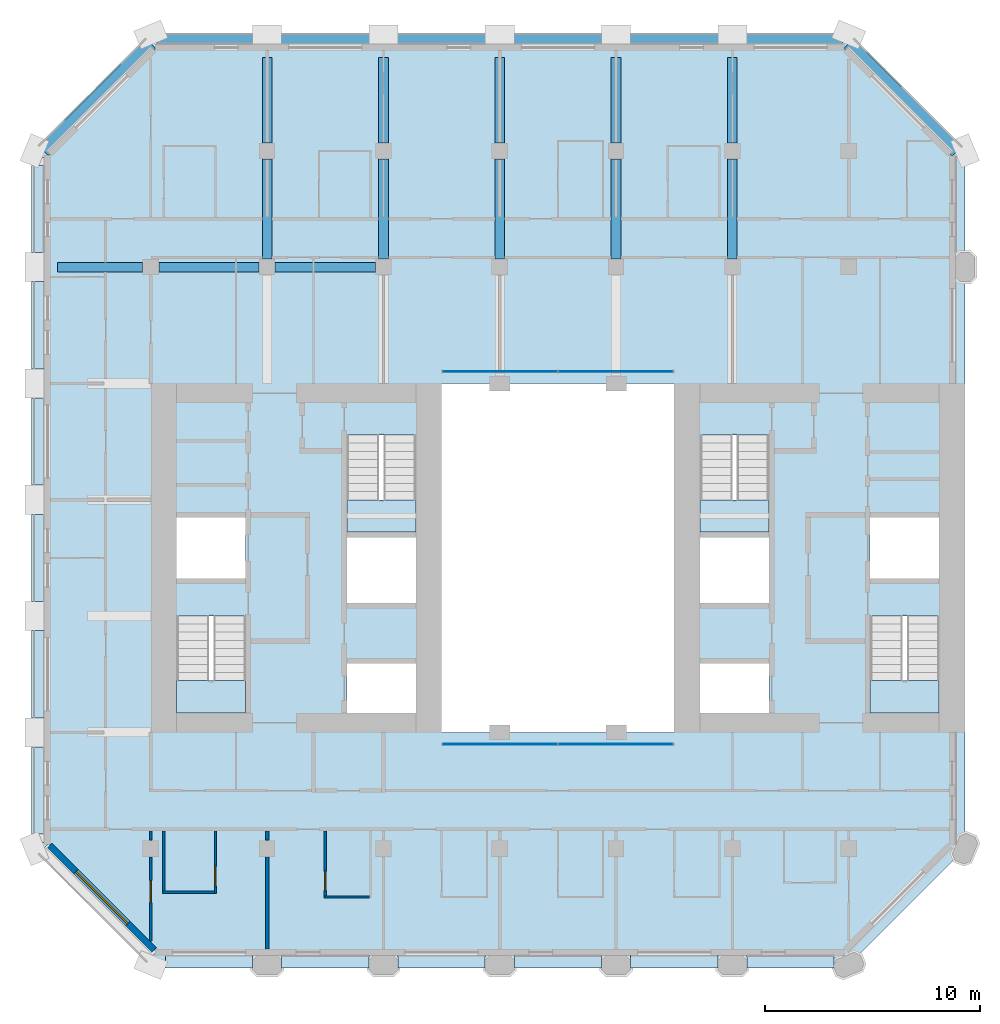
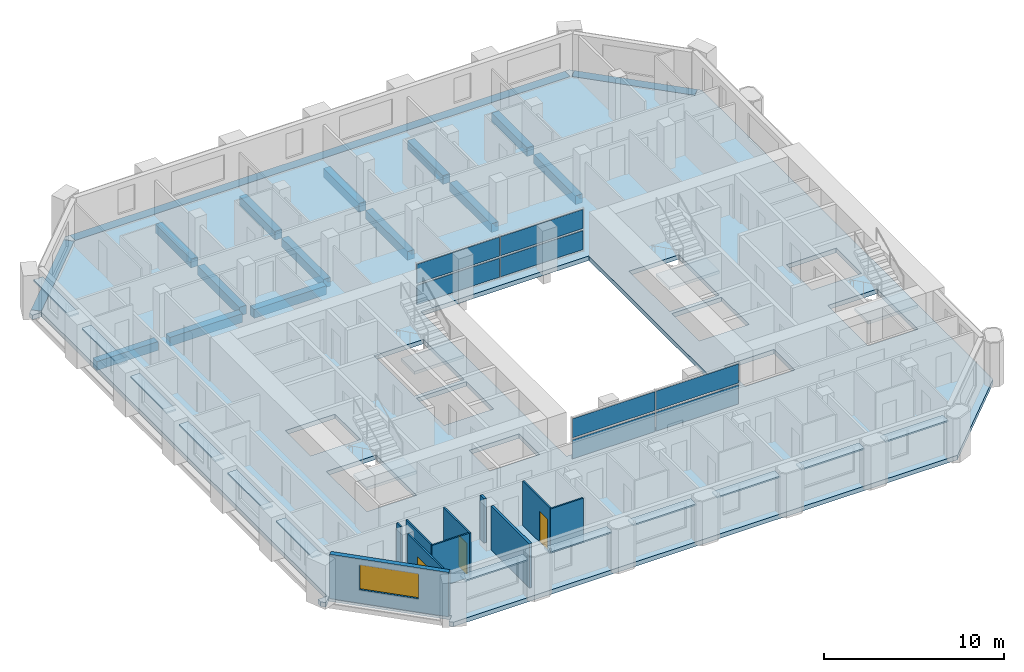
# One storey, part 5 of 14: 20 plates, 16 beams, 10 walls, 5 slabs, 3 doors, 1 window, 4 openings, 6 elements without a shape of their own.
"""IFC4 building model written with IfcOpenShell, lengths in metres."""

import ifcopenshell
import ifcopenshell.guid

model = None  # the IFC model being written
_history = None  # IfcOwnerHistory: only IFC2X3 demands one
_inside = {}  # id of a spatial element -> (the spatial element, [elements in it])
_under = {}  # id of a project, library or spatial element -> (it, [spatial elements below it])
_declared = {}  # id of a project -> (the project, [libraries it declares])
_typed = {}  # id of a type object -> (the type object, [elements of that type])
_made_of = {}  # id of a material, layer set ... -> (it, [elements and type objects made of it])


def new_model(schema):
    """Start an empty IFC model of exactly this schema.

    Asked for "IFC4X3", IfcOpenShell would pick the latest addendum, in which some entities
    have other attributes; the version numbers below select the first issue.
    IFC2X3 requires an IfcOwnerHistory on every rooted entity: one is made here for all.
    """
    global model, _history
    if schema == "IFC4X3":
        model = ifcopenshell.file(schema_version=(4, 3, 0, 0))
    else:
        model = ifcopenshell.file(schema=schema)
    _inside.clear()
    _under.clear()
    _declared.clear()
    _typed.clear()
    _made_of.clear()
    _history = None
    if model.schema == "IFC2X3":
        org = make("IfcOrganization", Name="unknown")
        user = make(
            "IfcPersonAndOrganization",
            ThePerson=make("IfcPerson", FamilyName="unknown"),
            TheOrganization=org,
        )
        app = make(
            "IfcApplication",
            ApplicationDeveloper=org,
            Version="unknown",
            ApplicationFullName="unknown",
            ApplicationIdentifier="unknown",
        )
        _history = make(
            "IfcOwnerHistory",
            OwningUser=user,
            OwningApplication=app,
            ChangeAction="ADDED",
            CreationDate=0,
        )
    return model


def make(cls, **values):
    """One entity of the class cls with the attributes given. An attribute that is None is left unset."""
    return model.create_entity(
        cls, **{name: value for name, value in values.items() if value is not None}
    )


def rooted(cls, **values):
    """An entity with a GlobalId (a new one), such as an element, a storey or a relation."""
    return make(cls, GlobalId=ifcopenshell.guid.new(), OwnerHistory=_history, **values)


def si_unit(unit_type, name, prefix=None):
    """IfcSIUnit, for example si_unit("LENGTHUNIT", "METRE", prefix="MILLI")."""
    return make("IfcSIUnit", UnitType=unit_type, Prefix=prefix, Name=name)


def assignment(units):
    """IfcUnitAssignment: the units of a project."""
    return None if units is None else make("IfcUnitAssignment", Units=units)


def point(xyz):
    """IfcCartesianPoint."""
    return None if xyz is None else make("IfcCartesianPoint", Coordinates=xyz)


def direction(xyz):
    """IfcDirection."""
    return None if xyz is None else make("IfcDirection", DirectionRatios=xyz)


def frame(location, z_axis=None, x_axis=None):
    """IfcAxis2Placement3D, a coordinate frame: its origin and axes. An axis left out is left unset."""
    return make(
        "IfcAxis2Placement3D",
        Location=point(location),
        Axis=direction(z_axis),
        RefDirection=direction(x_axis),
    )


def frame_2d(location, x_axis=None):
    """IfcAxis2Placement2D, a coordinate frame in the plane: its origin and x axis."""
    return make(
        "IfcAxis2Placement2D", Location=point(location), RefDirection=direction(x_axis)
    )


def origin():
    """The frame at (0, 0, 0) with its axes left unset."""
    return frame((0.0, 0.0, 0.0))


def origin_2d():
    """The frame at (0, 0) in the plane with its x axis left unset."""
    return frame_2d((0.0, 0.0))


def place(relative_to, where):
    """IfcLocalPlacement: puts the frame where relative to a parent placement (None: the world)."""
    return make(
        "IfcLocalPlacement", PlacementRelTo=relative_to, RelativePlacement=where
    )


def context(
    kind, dimensions, precision=None, world=None, true_north=None, identifier=None
):
    """IfcGeometricRepresentationContext, for example the 3D "Model" context."""
    return make(
        "IfcGeometricRepresentationContext",
        ContextIdentifier=identifier,
        ContextType=kind,
        CoordinateSpaceDimension=dimensions,
        Precision=precision,
        WorldCoordinateSystem=world,
        TrueNorth=true_north,
    )


def subcontext(parent, identifier, kind, view, scale=None):
    """IfcGeometricRepresentationSubContext, for example "Body" below "Model"."""
    return make(
        "IfcGeometricRepresentationSubContext",
        ContextIdentifier=identifier,
        ContextType=kind,
        ParentContext=parent,
        TargetScale=scale,
        TargetView=view,
    )


def project(units=None, contexts=None):
    """IfcProject with its units and contexts."""
    return rooted(
        "IfcProject",
        Name="project",
        RepresentationContexts=contexts,
        UnitsInContext=assignment(units),
    )


def spatial(cls, under=None, at=None, **own):
    """A site, building, storey or space (cls), placed at a placement, below another one or the project."""
    s = rooted(cls, ObjectPlacement=at, **own)
    if under is not None:
        _under.setdefault(under.id(), (under, []))[1].append(s)
    return s


def polyline(points):
    """IfcPolyline through the points."""
    return make("IfcPolyline", Points=[point(p) for p in points])


def profile(cls, at=None, kind="AREA", **sizes):
    """A parametric profile (cls). Its sizes go by their IFC names, for example OverallWidth=200.0."""
    return make(cls, ProfileType=kind, Position=at, **sizes)


def rectangle(**sizes):
    """IfcRectangleProfileDef."""
    return profile("IfcRectangleProfileDef", **sizes)


def outline(outer, holes=None, kind="AREA"):
    """IfcArbitraryClosedProfileDef: a profile drawn as a closed curve; with holes, ...WithVoids."""
    if holes is None:
        return make("IfcArbitraryClosedProfileDef", ProfileType=kind, OuterCurve=outer)
    return make(
        "IfcArbitraryProfileDefWithVoids",
        ProfileType=kind,
        OuterCurve=outer,
        InnerCurves=holes,
    )


def extrude(swept, where, along, depth):
    """IfcExtrudedAreaSolid: the profile swept, set in the frame where, extruded along a direction by depth."""
    return make(
        "IfcExtrudedAreaSolid",
        SweptArea=swept,
        Position=where,
        ExtrudedDirection=direction(along),
        Depth=depth,
    )


def shape(context_of_items, identifier, shape_type, items):
    """IfcShapeRepresentation: the items that make up one representation, for example the "Body"."""
    return make(
        "IfcShapeRepresentation",
        ContextOfItems=context_of_items,
        RepresentationIdentifier=identifier,
        RepresentationType=shape_type,
        Items=items,
    )


def material(Name=None, Category=None):
    """IfcMaterial."""
    return make("IfcMaterial", Name=Name, Category=Category)


def layer(
    of_material, thickness, ventilated=None, Name=None, Category=None, Priority=None
):
    """IfcMaterialLayer: one layer of a wall or slab, of a material (None: an air gap)."""
    return make(
        "IfcMaterialLayer",
        Material=of_material,
        LayerThickness=thickness,
        IsVentilated=ventilated,
        Name=Name,
        Category=Category,
        Priority=Priority,
    )


def layer_set(layers, Name=None):
    """IfcMaterialLayerSet."""
    return make("IfcMaterialLayerSet", MaterialLayers=layers, LayerSetName=Name)


def material_profile(
    of_material, cross_section, Name=None, Category=None, Priority=None
):
    """IfcMaterialProfile: a cross section and its material."""
    return make(
        "IfcMaterialProfile",
        Name=Name,
        Material=of_material,
        Profile=cross_section,
        Priority=Priority,
        Category=Category,
    )


def profile_set(profiles, Name=None, composite=None):
    """IfcMaterialProfileSet."""
    return make(
        "IfcMaterialProfileSet",
        Name=Name,
        MaterialProfiles=profiles,
        CompositeProfile=composite,
    )


def made_of(thing, what):
    """Note that an element or type object is made of a material, layer set ...; save() writes the relation."""
    if what is not None:
        _made_of.setdefault(what.id(), (what, []))[1].append(thing)
    return thing


def type_object(cls, material=None, **own):
    """A type object (cls), such as IfcWallType, which elements share."""
    return made_of(rooted(cls, **own), material)


def element(
    cls,
    number,
    at=None,
    inside=None,
    cuts=None,
    type_object=None,
    material=None,
    context=None,
    identifier="Body",
    shape_type=None,
    held_by="IfcProductDefinitionShape",
    body=None,
    shapes=None,
    **own,
):
    """One element of the class cls, such as IfcWall. Its Tag is "e" and its number.

    at: its placement. inside: the storey or other place that contains it. cuts: it is an
    opening in that element (IfcRelVoidsElement). A single representation is given by context,
    identifier, shape_type and body (its items); several are given by shapes. held_by: the class
    of the entity that holds the representations. save() writes the other relations.
    """
    e = rooted(cls, Tag="e%d" % number, ObjectPlacement=at, **own)
    if body is not None:
        shapes = [shape(context, identifier, shape_type, body)]
    if shapes is not None:
        e.Representation = make(held_by, Representations=shapes)
    if inside is not None:
        _inside.setdefault(inside.id(), (inside, []))[1].append(e)
    if cuts is not None:
        rooted(
            "IfcRelVoidsElement", RelatingBuildingElement=cuts, RelatedOpeningElement=e
        )
    if type_object is not None:
        _typed.setdefault(type_object.id(), (type_object, []))[1].append(e)
    return made_of(e, material)


def fill(opening, filler):
    """IfcRelFillsElement: the door or window that sits in an opening."""
    return rooted(
        "IfcRelFillsElement",
        RelatingOpeningElement=opening,
        RelatedBuildingElement=filler,
    )


def aggregate(whole, parts):
    """IfcRelAggregates: a whole, such as a stair, and the parts it consists of."""
    return rooted("IfcRelAggregates", RelatingObject=whole, RelatedObjects=parts)


def save(model, path):
    """Write the relations noted so far, then the file.

    IfcRelAggregates (storeys below a building ...), IfcRelContainedInSpatialStructure (elements
    in a storey), IfcRelDefinesByType, IfcRelAssociatesMaterial and IfcRelDeclares: one each for
    every whole, place, type object, material and project.
    """
    for whole, parts in _under.values():
        aggregate(whole, parts)
    for where, things in _inside.values():
        rooted(
            "IfcRelContainedInSpatialStructure",
            RelatedElements=things,
            RelatingStructure=where,
        )
    for kind, things in _typed.values():
        rooted("IfcRelDefinesByType", RelatedObjects=things, RelatingType=kind)
    for what, things in _made_of.values():
        rooted("IfcRelAssociatesMaterial", RelatedObjects=things, RelatingMaterial=what)
    for by, libraries in _declared.values():
        rooted("IfcRelDeclares", RelatingContext=by, RelatedDefinitions=libraries)
    model.write(path)


model = new_model("IFC4")

# Units and contexts
model_context = context("Model", 3, precision=1e-05, world=origin(), true_north=direction((0.0, 1.0)))
body_context = subcontext(model_context, "Body", "Model", "MODEL_VIEW")
ifc_project = project(units=[si_unit("LENGTHUNIT", "METRE"), si_unit("AREAUNIT", "SQUARE_METRE"), si_unit("VOLUMEUNIT", "CUBIC_METRE"), si_unit("PLANEANGLEUNIT", "RADIAN"), si_unit("MASSUNIT", "GRAM", prefix="KILO")], contexts=[model_context])

# Site, building, storey
site_placement = place(None, origin())
site = spatial("IfcSite", under=ifc_project, at=site_placement, CompositionType="ELEMENT")
building_placement = place(site_placement, origin())
building = spatial("IfcBuilding", under=site, at=building_placement, Name="Tabaq Tower and Sports Hall", CompositionType="ELEMENT")
storey_placement = place(building_placement, frame((0.0, 0.0, 213.699951171875)))
storey = spatial("IfcBuildingStorey", under=building, at=storey_placement, Name="L53", CompositionType="ELEMENT", Elevation=213.699951171875)

# Beams
ifc_material_1 = material(Name="Concrete C40/50", Category="concrete")
ifc_material_profile_1 = material_profile(ifc_material_1, rectangle(XDim=0.449951171875, YDim=0.60009765625, at=origin_2d()), Name="CB 450x600")
ifc_profile_set_1 = profile_set([ifc_material_profile_1], Name="Concrete C40/50")
beam_type_1 = type_object("IfcBeamType", Name="PT CANTILEVER BEAM CB 450x600 C40/50", PredefinedType="BEAM", material=ifc_profile_set_1)
beam_1_placement = place(storey_placement, frame((1.074951171875, 37.800048828125, -0.599853515625), z_axis=(1.0, 0.0, 0.0), x_axis=(0.0, 1.0, 0.0)))
element("IfcBeam", 1, at=beam_1_placement, inside=storey, type_object=beam_type_1, Name="Cantilever Beam L53 W7 span 1", PredefinedType="BEAM", context=body_context, shape_type="SweptSolid", body=[
    extrude(rectangle(XDim=0.449951171875, YDim=0.60009765625, at=origin_2d()), origin(), (0.0, 0.0, 1.0), 3.949951171875),
])
beam_2_placement = place(storey_placement, frame((5.77490234375, 37.800048828125, -0.599853515625), z_axis=(1.0, 0.0, 0.0), x_axis=(0.0, 1.0, 0.0)))
element("IfcBeam", 2, at=beam_2_placement, inside=storey, type_object=beam_type_1, Name="Cantilever Beam L53 W7 span 2", PredefinedType="BEAM", context=body_context, shape_type="SweptSolid", body=[
    extrude(rectangle(XDim=0.449951171875, YDim=0.60009765625, at=origin_2d()), origin(), (0.0, 0.0, 1.0), 4.650146484375),
])
beam_3_placement = place(storey_placement, frame((11.175048828125, 37.800048828125, -0.599853515625), z_axis=(1.0, 0.0, 0.0), x_axis=(0.0, 1.0, 0.0)))
element("IfcBeam", 3, at=beam_3_placement, inside=storey, type_object=beam_type_1, Name="Cantilever Beam L53 W7 span 3", PredefinedType="BEAM", context=body_context, shape_type="SweptSolid", body=[
    extrude(rectangle(XDim=0.449951171875, YDim=0.60009765625, at=origin_2d()), origin(), (0.0, 0.0, 1.0), 4.64990234375),
])
beam_4_placement = place(storey_placement, frame((10.800048828125, 47.52490234375, -0.599853515625), z_axis=(0.0, -1.0, 0.0), x_axis=(1.0, 0.0, 0.0)))
element("IfcBeam", 4, at=beam_4_placement, inside=storey, type_object=beam_type_1, Name="Cantilever Beam L53 N2 span 1", PredefinedType="BEAM", context=body_context, shape_type="SweptSolid", body=[
    extrude(rectangle(XDim=0.449951171875, YDim=0.60009765625, at=origin_2d()), origin(), (0.0, 0.0, 1.0), 3.949951171875),
])
beam_5_placement = place(storey_placement, frame((10.800048828125, 42.824951171875, -0.599853515625), z_axis=(0.0, -1.0, 0.0), x_axis=(1.0, 0.0, 0.0)))
element("IfcBeam", 5, at=beam_5_placement, inside=storey, type_object=beam_type_1, Name="Cantilever Beam L53 N2 span 2", PredefinedType="BEAM", context=body_context, shape_type="SweptSolid", body=[
    extrude(rectangle(XDim=0.449951171875, YDim=0.60009765625, at=origin_2d()), origin(), (0.0, 0.0, 1.0), 4.64990234375),
])
beam_6_placement = place(storey_placement, frame((16.199951171875, 47.52490234375, -0.599853515625), z_axis=(0.0, -1.0, 0.0), x_axis=(1.0, 0.0, 0.0)))
element("IfcBeam", 6, at=beam_6_placement, inside=storey, type_object=beam_type_1, Name="Cantilever Beam L53 N3 span 1", PredefinedType="BEAM", context=body_context, shape_type="SweptSolid", body=[
    extrude(rectangle(XDim=0.449951171875, YDim=0.60009765625, at=origin_2d()), origin(), (0.0, 0.0, 1.0), 3.949951171875),
])
beam_7_placement = place(storey_placement, frame((16.199951171875, 42.824951171875, -0.599853515625), z_axis=(0.0, -1.0, 0.0), x_axis=(1.0, 0.0, 0.0)))
element("IfcBeam", 7, at=beam_7_placement, inside=storey, type_object=beam_type_1, Name="Cantilever Beam L53 N3 span 2", PredefinedType="BEAM", context=body_context, shape_type="SweptSolid", body=[
    extrude(rectangle(XDim=0.449951171875, YDim=0.60009765625, at=origin_2d()), origin(), (0.0, 0.0, 1.0), 4.64990234375),
])
beam_8_placement = place(storey_placement, frame((21.60009765625, 47.52490234375, -0.599853515625), z_axis=(0.0, -1.0, 0.0), x_axis=(1.0, 0.0, 0.0)))
element("IfcBeam", 8, at=beam_8_placement, inside=storey, type_object=beam_type_1, Name="Cantilever Beam L53 N4 span 1", PredefinedType="BEAM", context=body_context, shape_type="SweptSolid", body=[
    extrude(rectangle(XDim=0.449951171875, YDim=0.60009765625, at=origin_2d()), origin(), (0.0, 0.0, 1.0), 3.949951171875),
])
beam_9_placement = place(storey_placement, frame((21.60009765625, 42.824951171875, -0.599853515625), z_axis=(0.0, -1.0, 0.0), x_axis=(1.0, 0.0, 0.0)))
element("IfcBeam", 9, at=beam_9_placement, inside=storey, type_object=beam_type_1, Name="Cantilever Beam L53 N4 span 2", PredefinedType="BEAM", context=body_context, shape_type="SweptSolid", body=[
    extrude(rectangle(XDim=0.449951171875, YDim=0.60009765625, at=origin_2d()), origin(), (0.0, 0.0, 1.0), 4.64990234375),
])
beam_10_placement = place(storey_placement, frame((27.0, 47.52490234375, -0.599853515625), z_axis=(0.0, -1.0, 0.0), x_axis=(1.0, 0.0, 0.0)))
element("IfcBeam", 10, at=beam_10_placement, inside=storey, type_object=beam_type_1, Name="Cantilever Beam L53 N5 span 1", PredefinedType="BEAM", context=body_context, shape_type="SweptSolid", body=[
    extrude(rectangle(XDim=0.449951171875, YDim=0.60009765625, at=origin_2d()), origin(), (0.0, 0.0, 1.0), 3.949951171875),
])
beam_11_placement = place(storey_placement, frame((27.0, 42.824951171875, -0.599853515625), z_axis=(0.0, -1.0, 0.0), x_axis=(1.0, 0.0, 0.0)))
element("IfcBeam", 11, at=beam_11_placement, inside=storey, type_object=beam_type_1, Name="Cantilever Beam L53 N5 span 2", PredefinedType="BEAM", context=body_context, shape_type="SweptSolid", body=[
    extrude(rectangle(XDim=0.449951171875, YDim=0.60009765625, at=origin_2d()), origin(), (0.0, 0.0, 1.0), 4.64990234375),
])
beam_12_placement = place(storey_placement, frame((32.39990234375, 47.52490234375, -0.599853515625), z_axis=(0.0, -1.0, 0.0), x_axis=(1.0, 0.0, 0.0)))
element("IfcBeam", 12, at=beam_12_placement, inside=storey, type_object=beam_type_1, Name="Cantilever Beam L53 N6 span 1", PredefinedType="BEAM", context=body_context, shape_type="SweptSolid", body=[
    extrude(rectangle(XDim=0.449951171875, YDim=0.60009765625, at=origin_2d()), origin(), (0.0, 0.0, 1.0), 3.949951171875),
])
beam_13_placement = place(storey_placement, frame((32.39990234375, 42.824951171875, -0.599853515625), z_axis=(0.0, -1.0, 0.0), x_axis=(1.0, 0.0, 0.0)))
element("IfcBeam", 13, at=beam_13_placement, inside=storey, type_object=beam_type_1, Name="Cantilever Beam L53 N6 span 2", PredefinedType="BEAM", context=body_context, shape_type="SweptSolid", body=[
    extrude(rectangle(XDim=0.449951171875, YDim=0.60009765625, at=origin_2d()), origin(), (0.0, 0.0, 1.0), 4.64990234375),
])
ifc_material_2 = material(Name="Concrete C40/50", Category="concrete")
ifc_material_profile_2 = material_profile(ifc_material_2, rectangle(XDim=0.60009765625, YDim=0.300048828125, at=origin_2d()), Name="EB 600x300")
ifc_profile_set_2 = profile_set([ifc_material_profile_2], Name="Concrete C40/50")
beam_type_2 = type_object("IfcBeamType", Name="PT EDGE BEAM EB 600x300 C40/50", PredefinedType="SPANDREL", material=ifc_profile_set_2)
beam_14_placement = place(storey_placement, frame((42.81103515625, 43.16455078125, -0.14990234375), z_axis=(-0.707089559252, 0.707124002701, 0.0), x_axis=(-0.707124002701, -0.707089559252, 0.0)))
element("IfcBeam", 14, at=beam_14_placement, inside=storey, type_object=beam_type_2, Name="Edge Beam L53 1", PredefinedType="SPANDREL", context=body_context, shape_type="SweptSolid", body=[
    extrude(rectangle(XDim=0.60009765625, YDim=0.300048828125, at=origin_2d()), origin(), (0.0, 0.0, 1.0), 7.088134765625),
])
beam_15_placement = place(storey_placement, frame((37.50146484375, 48.300048828125, -0.14990234375), z_axis=(-1.0, 0.0, 0.0), x_axis=(0.0, -1.0, 0.0)))
element("IfcBeam", 15, at=beam_15_placement, inside=storey, type_object=beam_type_2, Name="Edge Beam L53 2", PredefinedType="SPANDREL", context=body_context, shape_type="SweptSolid", body=[
    extrude(rectangle(XDim=0.60009765625, YDim=0.300048828125, at=origin_2d()), origin(), (0.0, 0.0, 1.0), 31.802978515625),
])
beam_16_placement = place(storey_placement, frame((5.401123046875, 48.1767578125, -0.14990234375), z_axis=(-0.707106781187, -0.707106781187, 0.0), x_axis=(0.707106781187, -0.707106781187, 0.0)))
element("IfcBeam", 16, at=beam_16_placement, inside=storey, type_object=beam_type_2, Name="Edge Beam L53 3", PredefinedType="SPANDREL", context=body_context, shape_type="SweptSolid", body=[
    extrude(rectangle(XDim=0.60009765625, YDim=0.300048828125, at=origin_2d()), origin(), (0.0, 0.0, 1.0), 7.03955078125),
])

# Curtain wall, plates
ifc_material_3 = material(Name="Aluminium alloy 6063-T6 framed glazing", Category="aluminium")
curtain_wall_type = type_object("IfcCurtainWallType", Name="CW1 curtain wall", PredefinedType="USERDEFINED", material=ifc_material_3)
curtain_wall_1_placement = place(storey_placement, origin())
curtain_wall_1 = element("IfcCurtainWall", 17, at=curtain_wall_1_placement, inside=storey, type_object=curtain_wall_type, Name="Atrium glazing L53 S", ObjectType="ATRIUM ENCLOSURE", PredefinedType="USERDEFINED")
ifc_material_4 = material(Name="Clear low-emissivity glass 28 mm", Category="glass")
ifc_layer_1 = layer(ifc_material_4, 0.028076171875)
ifc_layer_set_1 = layer_set([ifc_layer_1], Name="CW1 glass panel 28")
plate_type_1 = type_object("IfcPlateType", Name="CW1 glass panel 28", PredefinedType="CURTAIN_PANEL", material=ifc_layer_set_1)
plate_1_placement = place(storey_placement, frame((21.614990234375, 15.64990234375, 0.14013671875), z_axis=(0.0, 0.0, 1.0), x_axis=(1.0, 0.0, 0.0)))
plate_1 = element("IfcPlate", 18, at=plate_1_placement, type_object=plate_type_1, Name="CW1 panel 1.1", PredefinedType="CURTAIN_PANEL", context=body_context, shape_type="SweptSolid", body=[
    extrude(rectangle(XDim=5.31005859375, YDim=0.028076171875, at=origin_2d()), origin(), (0.0, 0.0, 1.0), 1.2900390625),
])
plate_2_placement = place(storey_placement, frame((21.614990234375, 15.64990234375, 1.570068359375), z_axis=(0.0, 0.0, 1.0), x_axis=(1.0, 0.0, 0.0)))
plate_2 = element("IfcPlate", 19, at=plate_2_placement, type_object=plate_type_1, Name="CW1 panel 1.2", PredefinedType="CURTAIN_PANEL", context=body_context, shape_type="SweptSolid", body=[
    extrude(rectangle(XDim=5.31005859375, YDim=0.028076171875, at=origin_2d()), origin(), (0.0, 0.0, 1.0), 1.2900390625),
])
plate_3_placement = place(storey_placement, frame((26.985107421875, 15.64990234375, 0.14013671875), z_axis=(0.0, 0.0, 1.0), x_axis=(1.0, 0.0, 0.0)))
plate_3 = element("IfcPlate", 20, at=plate_3_placement, type_object=plate_type_1, Name="CW1 panel 2.1", PredefinedType="CURTAIN_PANEL", context=body_context, shape_type="SweptSolid", body=[
    extrude(rectangle(XDim=5.31005859375, YDim=0.028076171875, at=origin_2d()), origin(), (0.0, 0.0, 1.0), 1.2900390625),
])
plate_4_placement = place(storey_placement, frame((26.985107421875, 15.64990234375, 1.570068359375), z_axis=(0.0, 0.0, 1.0), x_axis=(1.0, 0.0, 0.0)))
plate_4 = element("IfcPlate", 21, at=plate_4_placement, type_object=plate_type_1, Name="CW1 panel 2.2", PredefinedType="CURTAIN_PANEL", context=body_context, shape_type="SweptSolid", body=[
    extrude(rectangle(XDim=5.31005859375, YDim=0.028076171875, at=origin_2d()), origin(), (0.0, 0.0, 1.0), 1.2900390625),
])
aggregate(curtain_wall_1, [plate_1, plate_2, plate_3, plate_4])

curtain_wall_2_placement = place(storey_placement, origin())
curtain_wall_2 = element("IfcCurtainWall", 22, at=curtain_wall_2_placement, inside=storey, type_object=curtain_wall_type, Name="Atrium glazing L53 N", ObjectType="ATRIUM ENCLOSURE", PredefinedType="USERDEFINED")
plate_5_placement = place(storey_placement, frame((21.614990234375, 32.949951171875, 0.14013671875), z_axis=(0.0, 0.0, 1.0), x_axis=(1.0, 0.0, 0.0)))
plate_5 = element("IfcPlate", 23, at=plate_5_placement, type_object=plate_type_1, Name="CW1 panel 1.1", PredefinedType="CURTAIN_PANEL", context=body_context, shape_type="SweptSolid", body=[
    extrude(rectangle(XDim=5.31005859375, YDim=0.028076171875, at=origin_2d()), origin(), (0.0, 0.0, 1.0), 1.2900390625),
])
plate_6_placement = place(storey_placement, frame((21.614990234375, 32.949951171875, 1.570068359375), z_axis=(0.0, 0.0, 1.0), x_axis=(1.0, 0.0, 0.0)))
plate_6 = element("IfcPlate", 24, at=plate_6_placement, type_object=plate_type_1, Name="CW1 panel 1.2", PredefinedType="CURTAIN_PANEL", context=body_context, shape_type="SweptSolid", body=[
    extrude(rectangle(XDim=5.31005859375, YDim=0.028076171875, at=origin_2d()), origin(), (0.0, 0.0, 1.0), 1.2900390625),
])
plate_7_placement = place(storey_placement, frame((26.985107421875, 32.949951171875, 0.14013671875), z_axis=(0.0, 0.0, 1.0), x_axis=(1.0, 0.0, 0.0)))
plate_7 = element("IfcPlate", 25, at=plate_7_placement, type_object=plate_type_1, Name="CW1 panel 2.1", PredefinedType="CURTAIN_PANEL", context=body_context, shape_type="SweptSolid", body=[
    extrude(rectangle(XDim=5.31005859375, YDim=0.028076171875, at=origin_2d()), origin(), (0.0, 0.0, 1.0), 1.2900390625),
])
plate_8_placement = place(storey_placement, frame((26.985107421875, 32.949951171875, 1.570068359375), z_axis=(0.0, 0.0, 1.0), x_axis=(1.0, 0.0, 0.0)))
plate_8 = element("IfcPlate", 26, at=plate_8_placement, type_object=plate_type_1, Name="CW1 panel 2.2", PredefinedType="CURTAIN_PANEL", context=body_context, shape_type="SweptSolid", body=[
    extrude(rectangle(XDim=5.31005859375, YDim=0.028076171875, at=origin_2d()), origin(), (0.0, 0.0, 1.0), 1.2900390625),
])
aggregate(curtain_wall_2, [plate_5, plate_6, plate_7, plate_8])

# Stair, slab
ifc_material_5 = material(Name="Concrete C40/50", Category="concrete")
stair_type = type_object("IfcStairType", Name="Exit stair", PredefinedType="HALF_TURN_STAIR", material=ifc_material_5)
stair_1_placement = place(storey_placement, origin())
stair_1 = element("IfcStair", 27, at=stair_1_placement, inside=storey, type_object=stair_type, Name="L53 Exit stair ST1", PredefinedType="HALF_TURN_STAIR")
ifc_material_6 = material(Name="Concrete C40/50", Category="concrete")
ifc_layer_2 = layer(ifc_material_6, 0.199951171875)
ifc_layer_set_2 = layer_set([ifc_layer_2], Name="Exit stair landing")
slab_type_1 = type_object("IfcSlabType", Name="Exit stair landing", PredefinedType="LANDING", material=ifc_layer_set_2)
slab_1_placement = place(storey_placement, frame((0.0, 0.0, 1.449951171875)))
slab_1 = element("IfcSlab", 28, at=slab_1_placement, type_object=slab_type_1, Name="ST1 landing 1", PredefinedType="LANDING", context=body_context, shape_type="SweptSolid", body=[
    extrude(outline(polyline([(6.60009765625, 18.60009765625), (6.60009765625, 17.10009765625), (9.800048828125, 17.10009765625), (9.800048828125, 18.60009765625), (6.60009765625, 18.60009765625)])), origin(), (0.0, 0.0, 1.0), 0.2001953125),
])
aggregate(stair_1, [slab_1])

stair_2_placement = place(storey_placement, origin())
stair_2 = element("IfcStair", 29, at=stair_2_placement, inside=storey, type_object=stair_type, Name="L53 Exit stair ST2", PredefinedType="HALF_TURN_STAIR")
slab_2_placement = place(storey_placement, frame((0.0, 0.0, 1.449951171875)))
slab_2 = element("IfcSlab", 30, at=slab_2_placement, type_object=slab_type_1, Name="ST2 landing 1", PredefinedType="LANDING", context=body_context, shape_type="SweptSolid", body=[
    extrude(outline(polyline([(14.5, 27.0), (14.5, 25.5), (17.699951171875, 25.5), (17.699951171875, 27.0), (14.5, 27.0)])), origin(), (0.0, 0.0, 1.0), 0.2001953125),
])
aggregate(stair_2, [slab_2])

stair_3_placement = place(storey_placement, origin())
stair_3 = element("IfcStair", 31, at=stair_3_placement, inside=storey, type_object=stair_type, Name="L53 Exit stair ST3", PredefinedType="HALF_TURN_STAIR")
slab_3_placement = place(storey_placement, frame((0.0, 0.0, 1.449951171875)))
slab_3 = element("IfcSlab", 32, at=slab_3_placement, type_object=slab_type_1, Name="ST3 landing 1", PredefinedType="LANDING", context=body_context, shape_type="SweptSolid", body=[
    extrude(outline(polyline([(38.800048828125, 18.60009765625), (38.800048828125, 17.10009765625), (42.0, 17.10009765625), (42.0, 18.60009765625), (38.800048828125, 18.60009765625)])), origin(), (0.0, 0.0, 1.0), 0.2001953125),
])
aggregate(stair_3, [slab_3])

stair_4_placement = place(storey_placement, origin())
stair_4 = element("IfcStair", 33, at=stair_4_placement, inside=storey, type_object=stair_type, Name="L53 Exit stair ST4", PredefinedType="HALF_TURN_STAIR")
slab_4_placement = place(storey_placement, frame((0.0, 0.0, 1.449951171875)))
slab_4 = element("IfcSlab", 34, at=slab_4_placement, type_object=slab_type_1, Name="ST4 landing 1", PredefinedType="LANDING", context=body_context, shape_type="SweptSolid", body=[
    extrude(outline(polyline([(30.89990234375, 27.0), (30.89990234375, 25.5), (34.10009765625, 25.5), (34.10009765625, 27.0), (30.89990234375, 27.0)])), origin(), (0.0, 0.0, 1.0), 0.2001953125),
])
aggregate(stair_4, [slab_4])

# Slab
ifc_material_7 = material(Name="Concrete C40/50", Category="concrete")
ifc_layer_3 = layer(ifc_material_7, 0.300048828125)
ifc_layer_set_3 = layer_set([ifc_layer_3], Name="PT FLOOR SLAB 300 C40/50")
slab_type_2 = type_object("IfcSlabType", Name="PT FLOOR SLAB 300 C40/50", PredefinedType="FLOOR", material=ifc_layer_set_3)
slab_5_placement = place(storey_placement, frame((0.0, 0.0, -0.300048828125)))
element("IfcSlab", 35, at=slab_5_placement, inside=storey, type_object=slab_type_2, Name="Floor Slab L53", PredefinedType="FLOOR", context=body_context, shape_type="SweptSolid", body=[
    extrude(outline(polyline([(0.0, 11.0986328125), (0.0, 10.800048828125), (0.211181640625, 10.5888671875), (0.63525390625, 11.01318359375), (5.6474609375, 6.0009765625), (5.57666015625, 5.930419921875), (5.22314453125, 5.57666015625), (5.39990234375, 5.39990234375), (37.800048828125, 5.39990234375), (43.199951171875, 10.800048828125), (43.199951171875, 43.199951171875), (43.023193359375, 43.376708984375), (42.669677734375, 43.023193359375), (42.598876953125, 42.952392578125), (37.5869140625, 47.964599609375), (37.657470703125, 48.035400390625), (38.010986328125, 48.388916015625), (37.800048828125, 48.60009765625), (37.50146484375, 48.60009765625), (37.50146484375, 48.10009765625), (37.50146484375, 48.0), (5.698486328125, 48.0), (5.698486328125, 48.10009765625), (5.698486328125, 48.60009765625), (5.39990234375, 48.60009765625), (5.18896484375, 48.388916015625), (5.54248046875, 48.035400390625), (5.61328125, 47.964599609375), (0.63525390625, 42.98681640625), (0.211181640625, 43.4111328125), (0.0, 43.199951171875), (0.0, 42.9013671875), (0.5, 42.9013671875), (0.60009765625, 42.9013671875), (0.60009765625, 11.0986328125), (0.5, 11.0986328125), (0.0, 11.0986328125)]), holes=[polyline([(14.5, 19.39990234375), (17.699951171875, 19.39990234375), (17.699951171875, 17.10009765625), (14.5, 17.10009765625), (14.5, 19.39990234375)]), polyline([(6.60009765625, 21.599365234375), (9.800048828125, 21.599365234375), (9.800048828125, 17.10009765625), (6.60009765625, 17.10009765625), (6.60009765625, 21.599365234375)]), polyline([(14.5, 25.25), (17.699951171875, 25.25), (17.699951171875, 22.199951171875), (14.5, 22.199951171875), (14.5, 25.25)]), polyline([(18.89990234375, 32.39990234375), (29.699951171875, 32.39990234375), (29.699951171875, 16.199951171875), (18.89990234375, 16.199951171875), (18.89990234375, 32.39990234375)]), polyline([(9.800048828125, 26.175048828125), (9.800048828125, 23.35009765625), (6.60009765625, 23.35009765625), (6.60009765625, 26.175048828125), (9.800048828125, 26.175048828125)]), polyline([(14.5, 29.99951171875), (17.699951171875, 29.99951171875), (17.699951171875, 25.5), (14.5, 25.5), (14.5, 29.99951171875)]), polyline([(34.10009765625, 19.39990234375), (34.10009765625, 17.10009765625), (30.89990234375, 17.10009765625), (30.89990234375, 19.39990234375), (34.10009765625, 19.39990234375)]), polyline([(42.0, 21.599365234375), (42.0, 17.10009765625), (38.800048828125, 17.10009765625), (38.800048828125, 21.599365234375), (42.0, 21.599365234375)]), polyline([(30.89990234375, 25.25), (34.10009765625, 25.25), (34.10009765625, 22.199951171875), (30.89990234375, 22.199951171875), (30.89990234375, 25.25)]), polyline([(42.0, 26.175048828125), (42.0, 23.35009765625), (38.800048828125, 23.35009765625), (38.800048828125, 26.175048828125), (42.0, 26.175048828125)]), polyline([(34.10009765625, 29.99951171875), (34.10009765625, 25.5), (30.89990234375, 25.5), (30.89990234375, 29.99951171875), (34.10009765625, 29.99951171875)])]), origin(), (0.0, 0.0, 1.0), 0.300048828125),
])

# Plates
ifc_material_8 = material(Name="White precast concrete C60/75 blade", Category="concrete")
ifc_layer_4 = layer(ifc_material_8, 0.10009765625)
ifc_layer_set_4 = layer_set([ifc_layer_4], Name="White precast concrete C60/75 sunshade 100")
plate_type_2 = type_object("IfcPlateType", Name="White precast concrete C60/75 sunshade 100", PredefinedType="USERDEFINED", material=ifc_layer_set_4)
for number, where, z_axis, x_axis, name in (
    (36, (8.10009765625, 5.550048828125, 2.60009765625), (0.0, 0.0, 1.0), (1.0, 0.0, 0.0), "Sunshade L53 S"),
    (37, (13.5, 5.550048828125, 2.60009765625), (0.0, 0.0, 1.0), (1.0, 0.0, 0.0), "Sunshade L53 S"),
    (38, (18.89990234375, 5.550048828125, 2.60009765625), (0.0, 0.0, 1.0), (1.0, 0.0, 0.0), "Sunshade L53 S"),
    (39, (24.300048828125, 5.550048828125, 2.60009765625), (0.0, 0.0, 1.0), (1.0, 0.0, 0.0), "Sunshade L53 S"),
    (40, (29.699951171875, 5.550048828125, 2.60009765625), (0.0, 0.0, 1.0), (1.0, 0.0, 0.0), "Sunshade L53 S"),
    (41, (35.10009765625, 5.550048828125, 2.60009765625), (0.0, 0.0, 1.0), (1.0, 0.0, 0.0), "Sunshade L53 S"),
    (42, (0.14990234375, 40.5, 2.60009765625), (0.0, 0.0, 1.0), (0.0, -1.0, 0.0), "Sunshade L53 W"),
    (43, (0.14990234375, 35.10009765625, 2.60009765625), (0.0, 0.0, 1.0), (0.0, -1.0, 0.0), "Sunshade L53 W"),
    (44, (0.14990234375, 29.699951171875, 2.60009765625), (0.0, 0.0, 1.0), (0.0, -1.0, 0.0), "Sunshade L53 W"),
    (45, (0.14990234375, 24.300048828125, 2.60009765625), (0.0, 0.0, 1.0), (0.0, -1.0, 0.0), "Sunshade L53 W"),
    (46, (0.14990234375, 18.89990234375, 2.60009765625), (0.0, 0.0, 1.0), (0.0, -1.0, 0.0), "Sunshade L53 W"),
    (47, (0.14990234375, 13.5, 2.60009765625), (0.0, 0.0, 1.0), (0.0, -1.0, 0.0), "Sunshade L53 W"),
):
    element("IfcPlate", number, at=place(storey_placement, frame(where, z_axis=z_axis, x_axis=x_axis)), inside=storey, type_object=plate_type_2, Name=name, ObjectType="SUNSHADE", PredefinedType="USERDEFINED", context=body_context, shape_type="SweptSolid", body=[
        extrude(rectangle(XDim=4.050048828125, YDim=0.60009765625, at=origin_2d()), origin(), (0.0, 0.0, 1.0), 0.10009765625),
    ])

# Wall
ifc_material_9 = material(Name="Gypsum board on steel studs", Category="steel")
ifc_layer_5 = layer(ifc_material_9, 0.10009765625)
ifc_layer_set_5 = layer_set([ifc_layer_5], Name="Partition 100 Gypsum board")
wall_type_1 = type_object("IfcWallType", Name="Partition 100 Gypsum board", PredefinedType="PARTITIONING", material=ifc_layer_set_5)
wall_1_placement = place(storey_placement, frame((15.550048828125, 8.550048828125, 0.0), z_axis=(0.0, 0.0, 1.0), x_axis=(-1.0, 0.0, 0.0)))
element("IfcWall", 48, at=wall_1_placement, inside=storey, type_object=wall_type_1, Name="Partition wall L53", PredefinedType="PARTITIONING", context=body_context, shape_type="SweptSolid", body=[
    extrude(rectangle(XDim=2.10009765625, YDim=0.10009765625, at=frame_2d((1.050048828125, 0.0))), origin(), (0.0, 0.0, 1.0), 3.0),
])

# Wall, opening, door
wall_2_placement = place(storey_placement, frame((13.5, 8.60009765625, 0.0), z_axis=(0.0, 0.0, 1.0), x_axis=(0.0, 1.0, 0.0)))
wall_2 = element("IfcWall", 49, at=wall_2_placement, inside=storey, type_object=wall_type_1, Name="Partition wall L53", PredefinedType="PARTITIONING", context=body_context, shape_type="SweptSolid", body=[
    extrude(rectangle(XDim=3.02490234375, YDim=0.10009765625, at=frame_2d((1.512451171875, 0.0))), origin(), (0.0, 0.0, 1.0), 3.0),
])
opening_1_placement = place(wall_2_placement, frame((0.25, 0.0, 0.0)))
opening_1 = element("IfcOpeningElement", 50, at=opening_1_placement, cuts=wall_2, Name="Opening L53-019", PredefinedType="OPENING", context=body_context, shape_type="SweptSolid", body=[
    extrude(rectangle(XDim=0.89990234375, YDim=2.10009765625, at=frame_2d((0.449951171875, 1.050048828125))), frame((0.0, 0.050048828125, 0.0), z_axis=(0.0, -1.0, 0.0), x_axis=(1.0, 0.0, 0.0)), (0.0, 0.0, 1.0), 0.10009765625),
])
ifc_material_10 = material(Name="Timber leaf in steel frame", Category="steel")
door_type_1 = type_object("IfcDoorType", Name="Internal door 900 right hand", OperationType="SINGLE_SWING_RIGHT", PredefinedType="DOOR", material=ifc_material_10)
door_1_placement = place(opening_1_placement, origin())
door_1 = element("IfcDoor", 51, at=door_1_placement, inside=storey, type_object=door_type_1, Name="Internal door L53-019", OperationType="SINGLE_SWING_RIGHT", OverallHeight=2.10009765625, OverallWidth=0.89990234375, PredefinedType="DOOR", context=body_context, shape_type="SweptSolid", body=[
    extrude(rectangle(XDim=0.89990234375, YDim=2.10009765625, at=frame_2d((0.449951171875, 1.050048828125))), frame((0.0, 0.02490234375, 0.0), z_axis=(0.0, -1.0, 0.0), x_axis=(1.0, 0.0, 0.0)), (0.0, 0.0, 1.0), 0.050048828125),
])
fill(opening_1, door_1)

wall_3_placement = place(storey_placement, frame((8.39990234375, 11.625, 0.0), z_axis=(0.0, 0.0, 1.0), x_axis=(0.0, -1.0, 0.0)))
wall_3 = element("IfcWall", 52, at=wall_3_placement, inside=storey, type_object=wall_type_1, Name="Partition wall L53", PredefinedType="PARTITIONING", context=body_context, shape_type="SweptSolid", body=[
    extrude(rectangle(XDim=2.89990234375, YDim=0.10009765625, at=frame_2d((1.449951171875, 0.0))), origin(), (0.0, 0.0, 1.0), 3.0),
])
opening_2_placement = place(wall_3_placement, frame((1.64990234375, 0.0, 0.0)))
opening_2 = element("IfcOpeningElement", 53, at=opening_2_placement, cuts=wall_3, Name="Opening L53-020", PredefinedType="OPENING", context=body_context, shape_type="SweptSolid", body=[
    extrude(rectangle(XDim=0.89990234375, YDim=2.10009765625, at=frame_2d((0.449951171875, 1.050048828125))), frame((0.0, 0.050048828125, 0.0), z_axis=(0.0, -1.0, 0.0), x_axis=(1.0, 0.0, 0.0)), (0.0, 0.0, 1.0), 0.10009765625),
])
door_2_placement = place(opening_2_placement, origin())
door_2 = element("IfcDoor", 54, at=door_2_placement, inside=storey, type_object=door_type_1, Name="Internal door L53-020", OperationType="SINGLE_SWING_RIGHT", OverallHeight=2.10009765625, OverallWidth=0.89990234375, PredefinedType="DOOR", context=body_context, shape_type="SweptSolid", body=[
    extrude(rectangle(XDim=0.89990234375, YDim=2.10009765625, at=frame_2d((0.449951171875, 1.050048828125))), frame((0.0, 0.02490234375, 0.0), z_axis=(0.0, -1.0, 0.0), x_axis=(1.0, 0.0, 0.0)), (0.0, 0.0, 1.0), 0.050048828125),
])
fill(opening_2, door_2)

# Walls
wall_4_placement = place(storey_placement, frame((8.35009765625, 8.77490234375, 0.0), z_axis=(0.0, 0.0, 1.0), x_axis=(-1.0, 0.0, 0.0)))
element("IfcWall", 55, at=wall_4_placement, inside=storey, type_object=wall_type_1, Name="Partition wall L53", PredefinedType="PARTITIONING", context=body_context, shape_type="SweptSolid", body=[
    extrude(rectangle(XDim=2.400146484375, YDim=0.10009765625, at=frame_2d((1.2001953125, 0.0))), origin(), (0.0, 0.0, 1.0), 3.0),
])
wall_5_placement = place(storey_placement, frame((6.0, 8.824951171875, 0.0), z_axis=(0.0, 0.0, 1.0), x_axis=(0.0, 1.0, 0.0)))
element("IfcWall", 56, at=wall_5_placement, inside=storey, type_object=wall_type_1, Name="Partition wall L53", PredefinedType="PARTITIONING", context=body_context, shape_type="SweptSolid", body=[
    extrude(rectangle(XDim=2.800048828125, YDim=0.10009765625, at=frame_2d((1.39990234375, 0.0))), origin(), (0.0, 0.0, 1.0), 3.0),
])
wall_6_placement = place(storey_placement, frame((5.39990234375, 11.625, 0.0), z_axis=(0.0, 0.0, 1.0), x_axis=(0.0, -1.0, 0.0)))
element("IfcWall", 57, at=wall_6_placement, inside=storey, type_object=wall_type_1, Name="Partition wall L53", PredefinedType="PARTITIONING", context=body_context, shape_type="SweptSolid", body=[
    extrude(rectangle(XDim=0.429931640625, YDim=0.10009765625, at=frame_2d((0.21484375, 0.0))), origin(), (0.0, 0.0, 1.0), 3.0),
])

# Wall, opening, door
wall_7_placement = place(storey_placement, frame((5.39990234375, 10.405029296875, 0.0), z_axis=(0.0, 0.0, 1.0), x_axis=(0.0, -1.0, 0.0)))
wall_7 = element("IfcWall", 58, at=wall_7_placement, inside=storey, type_object=wall_type_1, Name="Partition wall L53", PredefinedType="PARTITIONING", context=body_context, shape_type="SweptSolid", body=[
    extrude(rectangle(XDim=3.892822265625, YDim=0.10009765625, at=frame_2d((1.9462890625, 0.0))), origin(), (0.0, 0.0, 1.0), 3.0),
])
opening_3_placement = place(wall_7_placement, frame((1.092529296875, 0.0, 0.0)))
opening_3 = element("IfcOpeningElement", 59, at=opening_3_placement, cuts=wall_7, Name="Opening L53-044", PredefinedType="OPENING", context=body_context, shape_type="SweptSolid", body=[
    extrude(rectangle(XDim=1.0, YDim=2.10009765625, at=frame_2d((0.5, 1.050048828125))), frame((0.0, 0.050048828125, 0.0), z_axis=(0.0, -1.0, 0.0), x_axis=(1.0, 0.0, 0.0)), (0.0, 0.0, 1.0), 0.10009765625),
])
ifc_material_11 = material(Name="Timber leaf in steel frame", Category="steel")
door_type_2 = type_object("IfcDoorType", Name="Internal door 1000 right hand", OperationType="SINGLE_SWING_RIGHT", PredefinedType="DOOR", material=ifc_material_11)
door_3_placement = place(opening_3_placement, origin())
door_3 = element("IfcDoor", 60, at=door_3_placement, inside=storey, type_object=door_type_2, Name="Internal door L53-044", OperationType="SINGLE_SWING_RIGHT", OverallHeight=2.10009765625, OverallWidth=1.0, PredefinedType="DOOR", context=body_context, shape_type="SweptSolid", body=[
    extrude(rectangle(XDim=1.0, YDim=2.10009765625, at=frame_2d((0.5, 1.050048828125))), frame((0.0, 0.02490234375, 0.0), z_axis=(0.0, -1.0, 0.0), x_axis=(1.0, 0.0, 0.0)), (0.0, 0.0, 1.0), 0.050048828125),
])
fill(opening_3, door_3)

# Walls
ifc_material_12 = material(Name="Blockwork", Category="masonry")
ifc_layer_6 = layer(ifc_material_12, 0.14990234375)
ifc_layer_set_6 = layer_set([ifc_layer_6], Name="Separating wall 150 Blockwork")
wall_type_2 = type_object("IfcWallType", Name="Separating wall 150 Blockwork", PredefinedType="PARTITIONING", material=ifc_layer_set_6)
wall_8_placement = place(storey_placement, frame((10.800048828125, 11.625, 0.0), z_axis=(0.0, 0.0, 1.0), x_axis=(0.0, -1.0, 0.0)))
element("IfcWall", 61, at=wall_8_placement, inside=storey, type_object=wall_type_2, Name="Separating wall L53", PredefinedType="PARTITIONING", context=body_context, shape_type="SweptSolid", body=[
    extrude(rectangle(XDim=0.429931640625, YDim=0.14990234375, at=frame_2d((0.21484375, 0.0))), origin(), (0.0, 0.0, 1.0), 3.0),
])
wall_9_placement = place(storey_placement, frame((10.800048828125, 10.405029296875, 0.0), z_axis=(0.0, 0.0, 1.0), x_axis=(0.0, -1.0, 0.0)))
element("IfcWall", 62, at=wall_9_placement, inside=storey, type_object=wall_type_2, Name="Separating wall L53", PredefinedType="PARTITIONING", context=body_context, shape_type="SweptSolid", body=[
    extrude(rectangle(XDim=4.254150390625, YDim=0.14990234375, at=frame_2d((2.126953125, 0.0))), origin(), (0.0, 0.0, 1.0), 3.0),
])

# Wall, opening, window
ifc_material_13 = material(Name="White precast concrete C60/75", Category="concrete")
ifc_layer_7 = layer(ifc_material_13, 0.300048828125)
ifc_layer_set_7 = layer_set([ifc_layer_7], Name="White precast concrete C60/75 external wall 300")
wall_type_3 = type_object("IfcWallType", Name="White precast concrete C60/75 external wall 300", PredefinedType="SOLIDWALL", material=ifc_layer_set_7)
wall_10_placement = place(storey_placement, frame((0.698974609375, 10.949462890625, 0.0), z_axis=(0.0, 0.0, 1.0), x_axis=(0.707106781187, -0.707106781187, 0.0)))
wall_10 = element("IfcWall", 63, at=wall_10_placement, inside=storey, type_object=wall_type_3, Name="External Wall L53 SW", PredefinedType="SOLIDWALL", context=body_context, shape_type="SweptSolid", body=[
    extrude(rectangle(XDim=6.85986328125, YDim=0.300048828125, at=frame_2d((3.429931640625, 0.0))), origin(), (0.0, 0.0, 1.0), 3.0),
])
opening_4_placement = place(wall_10_placement, frame((1.729736328125, 0.0, 0.89990234375)))
opening_4 = element("IfcOpeningElement", 64, at=opening_4_placement, cuts=wall_10, Name="Opening W1A", PredefinedType="OPENING", context=body_context, shape_type="SweptSolid", body=[
    extrude(rectangle(XDim=3.39990234375, YDim=1.699951171875, at=frame_2d((1.699951171875, 0.85009765625))), frame((0.0, 0.16015625, 0.0), z_axis=(0.0, -1.0, 0.0), x_axis=(1.0, 0.0, 0.0)), (0.0, 0.0, 1.0), 0.320068359375),
])
ifc_material_14 = material(Name="Aluminium framed clear glazing", Category="aluminium")
window_type = type_object("IfcWindowType", Name="Window W1A", PartitioningType="SINGLE_PANEL", PredefinedType="WINDOW", material=ifc_material_14)
window_placement = place(opening_4_placement, origin())
window = element("IfcWindow", 65, at=window_placement, inside=storey, type_object=window_type, Name="Window W1A L53", OverallHeight=1.699951171875, OverallWidth=3.39990234375, PartitioningType="SINGLE_PANEL", PredefinedType="WINDOW", context=body_context, shape_type="SweptSolid", body=[
    extrude(rectangle(XDim=3.39990234375, YDim=1.699951171875, at=frame_2d((1.699951171875, 0.85009765625))), frame((0.0, 0.030029296875, 0.0), z_axis=(0.0, -1.0, 0.0), x_axis=(1.0, 0.0, 0.0)), (0.0, 0.0, 1.0), 0.06005859375),
])
fill(opening_4, window)

save(model, "model.ifc")
